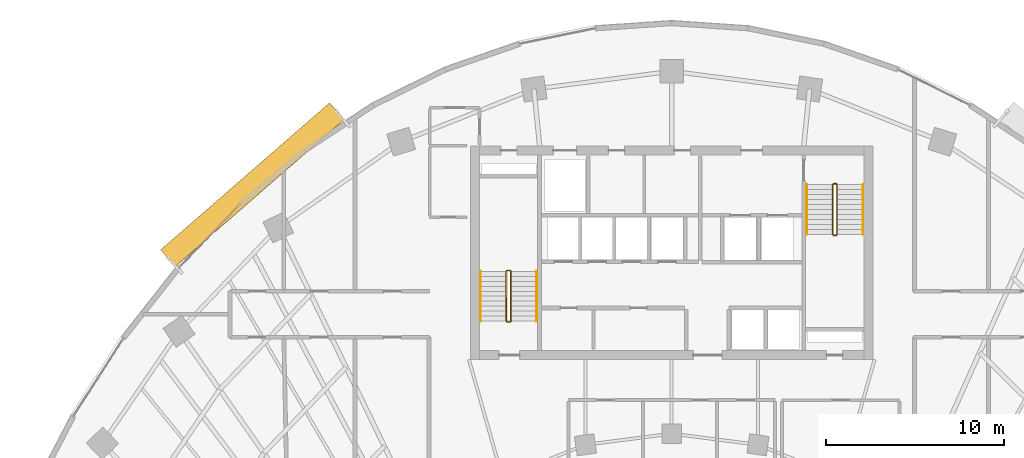
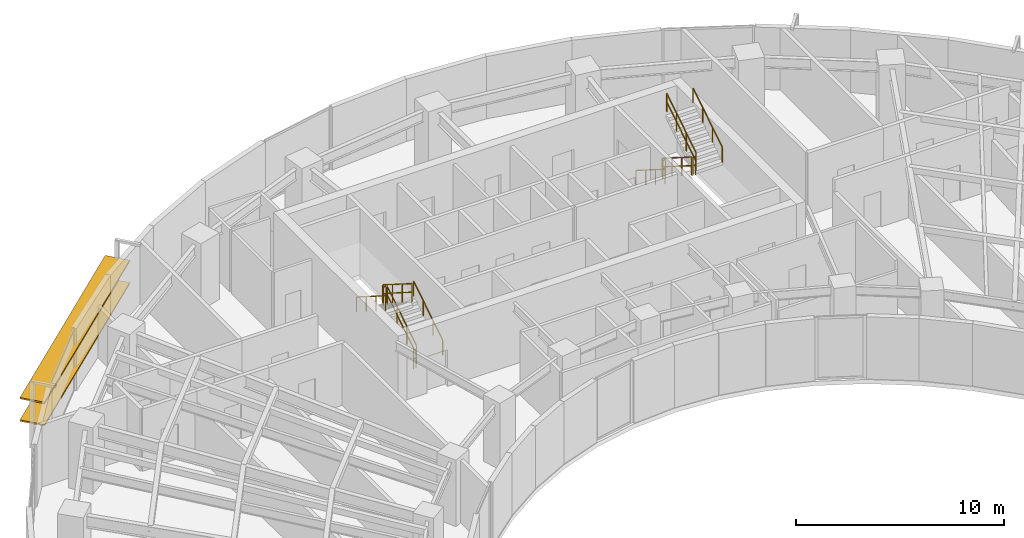
# One storey, part 13 of 14: 12 railings, 2 shading devices.
"""IFC4 building model written with IfcOpenShell, lengths in metres."""

from ifc_helpers import new_model, si_unit, direction, frame, origin, origin_2d, place, context, subcontext, project, spatial, rectangle, extrude, source, transform, mapped, material, material_profile, profile_set, type_object, element, save


model = new_model("IFC4")

# Units and contexts
model_context = context("Model", 3, precision=1e-05, world=origin(), true_north=direction((0.0, 1.0)))
body_context = subcontext(model_context, "Body", "Model", "MODEL_VIEW")
ifc_project = project(units=[si_unit("LENGTHUNIT", "METRE"), si_unit("AREAUNIT", "SQUARE_METRE"), si_unit("VOLUMEUNIT", "CUBIC_METRE"), si_unit("PLANEANGLEUNIT", "RADIAN"), si_unit("MASSUNIT", "GRAM", prefix="KILO")], contexts=[model_context])

# Site, building, storey
site_placement = place(None, origin())
site = spatial("IfcSite", under=ifc_project, at=site_placement, CompositionType="ELEMENT")
building_placement = place(site_placement, origin())
building = spatial("IfcBuilding", under=site, at=building_placement, Name="Breltana Convention Tower", CompositionType="ELEMENT")
storey_placement = place(building_placement, frame((0.0, 0.0, 135.0)))
storey = spatial("IfcBuildingStorey", under=building, at=storey_placement, Name="L32", CompositionType="ELEMENT", Elevation=135.0)

# Railings
ifc_material_1 = material(Name="Steel S275 Painted", Category="steel")
railing_type_1 = type_object("IfcRailingType", Name="RL-STAIR-GUARD-1100", PredefinedType="GUARDRAIL", material=ifc_material_1)
railing_1_placement = place(storey_placement, frame((38.9599609375, 62.360107421875, 0.17724609375)))
element("IfcRailing", 1, at=railing_1_placement, inside=storey, type_object=railing_type_1, Name="L32 ST-1 stair guard 1", PredefinedType="GUARDRAIL", context=body_context, shape_type="SweptSolid", body=[
    extrude(rectangle(XDim=0.048095703125, YDim=0.048095703125, at=origin_2d()), frame((0.0, 0.0, 1.076171875), z_axis=(0.0, 0.844887892834, 0.53494340686), x_axis=(-1.0, 0.0, 0.0)), (0.0, 0.0, 1.0), 3.313720703125),
    extrude(rectangle(XDim=0.048095703125, YDim=0.048095703125, at=origin_2d()), frame((0.0, 0.0, 0.572021484375), z_axis=(0.0, 0.844887892834, 0.53494340686), x_axis=(-1.0, 0.0, 0.0)), (0.0, 0.0, 1.0), 3.313720703125),
    extrude(rectangle(XDim=0.0419921875, YDim=0.0419921875, at=origin_2d()), origin(), (0.0, 0.0, 1.0), 1.052001953125),
    extrude(rectangle(XDim=0.0419921875, YDim=0.0419921875, at=origin_2d()), frame((0.0, 0.933349609375, 0.5908203125)), (0.0, 0.0, 1.0), 1.052001953125),
    extrude(rectangle(XDim=0.0419921875, YDim=0.0419921875, at=origin_2d()), frame((0.0, 1.866455078125, 1.181884765625)), (0.0, 0.0, 1.0), 1.052001953125),
    extrude(rectangle(XDim=0.0419921875, YDim=0.0419921875, at=origin_2d()), frame((0.0, 2.7998046875, 1.772705078125)), (0.0, 0.0, 1.0), 1.052001953125),
])
railing_2_placement = place(storey_placement, frame((38.909912109375, 65.2099609375, 1.949951171875)))
element("IfcRailing", 2, at=railing_2_placement, inside=storey, type_object=railing_type_1, Name="L32 ST-1 stair guard 2", PredefinedType="GUARDRAIL", context=body_context, shape_type="SweptSolid", body=[
    extrude(rectangle(XDim=0.048095703125, YDim=0.048095703125, at=origin_2d()), frame((0.0, 0.0, 1.076171875), z_axis=(-1.0, 0.0, 0.0), x_axis=(0.0, -1.0, 0.0)), (0.0, 0.0, 1.0), 0.14990234375),
    extrude(rectangle(XDim=0.048095703125, YDim=0.048095703125, at=origin_2d()), frame((0.0, 0.0, 0.572021484375), z_axis=(-1.0, 0.0, 0.0), x_axis=(0.0, -1.0, 0.0)), (0.0, 0.0, 1.0), 0.14990234375),
    extrude(rectangle(XDim=0.0419921875, YDim=0.0419921875, at=origin_2d()), origin(), (0.0, 0.0, 1.0), 1.052001953125),
    extrude(rectangle(XDim=0.0419921875, YDim=0.0419921875, at=origin_2d()), frame((-0.14990234375, 0.0, 0.0)), (0.0, 0.0, 1.0), 1.052001953125),
])
railing_3_placement = place(storey_placement, frame((38.7099609375, 65.159912109375, 2.127197265625)))
element("IfcRailing", 3, at=railing_3_placement, inside=storey, type_object=railing_type_1, Name="L32 ST-1 stair guard 3", PredefinedType="GUARDRAIL", context=body_context, shape_type="SweptSolid", body=[
    extrude(rectangle(XDim=0.048095703125, YDim=0.048095703125, at=origin_2d()), frame((0.0, 0.0, 1.076171875), z_axis=(0.0, -0.844887892834, 0.53494340686), x_axis=(1.0, 0.0, 0.0)), (0.0, 0.0, 1.0), 3.313720703125),
    extrude(rectangle(XDim=0.048095703125, YDim=0.048095703125, at=origin_2d()), frame((0.0, 0.0, 0.572021484375), z_axis=(0.0, -0.844887892834, 0.53494340686), x_axis=(1.0, 0.0, 0.0)), (0.0, 0.0, 1.0), 3.313720703125),
    extrude(rectangle(XDim=0.0419921875, YDim=0.0419921875, at=origin_2d()), origin(), (0.0, 0.0, 1.0), 1.052001953125),
    extrude(rectangle(XDim=0.0419921875, YDim=0.0419921875, at=origin_2d()), frame((0.0, -0.933349609375, 0.5908203125)), (0.0, 0.0, 1.0), 1.052001953125),
    extrude(rectangle(XDim=0.0419921875, YDim=0.0419921875, at=origin_2d()), frame((0.0, -1.866455078125, 1.181884765625)), (0.0, 0.0, 1.0), 1.052001953125),
    extrude(rectangle(XDim=0.0419921875, YDim=0.0419921875, at=origin_2d()), frame((0.0, -2.7998046875, 1.772705078125)), (0.0, 0.0, 1.0), 1.052001953125),
])
railing_4_placement = place(storey_placement, frame((38.909912109375, 62.31005859375, 0.0)))
element("IfcRailing", 4, at=railing_4_placement, inside=storey, type_object=railing_type_1, Name="L32 ST-1 stair guard 4", PredefinedType="GUARDRAIL", context=body_context, shape_type="SweptSolid", body=[
    extrude(rectangle(XDim=0.048095703125, YDim=0.048095703125, at=origin_2d()), frame((0.0, 0.0, 1.076171875), z_axis=(-1.0, 0.0, 0.0), x_axis=(0.0, -1.0, 0.0)), (0.0, 0.0, 1.0), 0.14990234375),
    extrude(rectangle(XDim=0.048095703125, YDim=0.048095703125, at=origin_2d()), frame((0.0, 0.0, 0.572021484375), z_axis=(-1.0, 0.0, 0.0), x_axis=(0.0, -1.0, 0.0)), (0.0, 0.0, 1.0), 0.14990234375),
    extrude(rectangle(XDim=0.0419921875, YDim=0.0419921875, at=origin_2d()), origin(), (0.0, 0.0, 1.0), 1.052001953125),
    extrude(rectangle(XDim=0.0419921875, YDim=0.0419921875, at=origin_2d()), frame((-0.14990234375, 0.0, 0.0)), (0.0, 0.0, 1.0), 1.052001953125),
])
railing_5_placement = place(storey_placement, frame((57.0400390625, 70.0400390625, 0.17724609375)))
element("IfcRailing", 5, at=railing_5_placement, inside=storey, type_object=railing_type_1, Name="L32 ST-2 stair guard 1", PredefinedType="GUARDRAIL", context=body_context, shape_type="SweptSolid", body=[
    extrude(rectangle(XDim=0.048095703125, YDim=0.048095703125, at=origin_2d()), frame((0.0, 0.0, 1.076171875), z_axis=(0.0, -0.844908973607, 0.534910110503), x_axis=(1.0, 0.0, 0.0)), (0.0, 0.0, 1.0), 3.31396484375),
    extrude(rectangle(XDim=0.048095703125, YDim=0.048095703125, at=origin_2d()), frame((0.0, 0.0, 0.572021484375), z_axis=(0.0, -0.844908973607, 0.534910110503), x_axis=(1.0, 0.0, 0.0)), (0.0, 0.0, 1.0), 3.31396484375),
    extrude(rectangle(XDim=0.0419921875, YDim=0.0419921875, at=origin_2d()), origin(), (0.0, 0.0, 1.0), 1.052001953125),
    extrude(rectangle(XDim=0.0419921875, YDim=0.0419921875, at=origin_2d()), frame((0.0, -0.933349609375, 0.5908203125)), (0.0, 0.0, 1.0), 1.052001953125),
    extrude(rectangle(XDim=0.0419921875, YDim=0.0419921875, at=origin_2d()), frame((0.0, -1.86669921875, 1.181884765625)), (0.0, 0.0, 1.0), 1.052001953125),
    extrude(rectangle(XDim=0.0419921875, YDim=0.0419921875, at=origin_2d()), frame((0.0, -2.800048828125, 1.772705078125)), (0.0, 0.0, 1.0), 1.052001953125),
])
railing_6_placement = place(storey_placement, frame((57.090087890625, 67.18994140625, 1.949951171875)))
element("IfcRailing", 6, at=railing_6_placement, inside=storey, type_object=railing_type_1, Name="L32 ST-2 stair guard 2", PredefinedType="GUARDRAIL", context=body_context, shape_type="SweptSolid", body=[
    extrude(rectangle(XDim=0.048095703125, YDim=0.048095703125, at=origin_2d()), frame((0.0, 0.0, 1.076171875), z_axis=(1.0, 0.0, 0.0), x_axis=(0.0, 1.0, 0.0)), (0.0, 0.0, 1.0), 0.14990234375),
    extrude(rectangle(XDim=0.048095703125, YDim=0.048095703125, at=origin_2d()), frame((0.0, 0.0, 0.572021484375), z_axis=(1.0, 0.0, 0.0), x_axis=(0.0, 1.0, 0.0)), (0.0, 0.0, 1.0), 0.14990234375),
    extrude(rectangle(XDim=0.0419921875, YDim=0.0419921875, at=origin_2d()), origin(), (0.0, 0.0, 1.0), 1.052001953125),
    extrude(rectangle(XDim=0.0419921875, YDim=0.0419921875, at=origin_2d()), frame((0.14990234375, 0.0, 0.0)), (0.0, 0.0, 1.0), 1.052001953125),
])
railing_7_placement = place(storey_placement, frame((57.2900390625, 67.239990234375, 2.127197265625)))
element("IfcRailing", 7, at=railing_7_placement, inside=storey, type_object=railing_type_1, Name="L32 ST-2 stair guard 3", PredefinedType="GUARDRAIL", context=body_context, shape_type="SweptSolid", body=[
    extrude(rectangle(XDim=0.048095703125, YDim=0.048095703125, at=origin_2d()), frame((0.0, 0.0, 1.076171875), z_axis=(0.0, 0.844908973607, 0.534910110503), x_axis=(-1.0, 0.0, 0.0)), (0.0, 0.0, 1.0), 3.31396484375),
    extrude(rectangle(XDim=0.048095703125, YDim=0.048095703125, at=origin_2d()), frame((0.0, 0.0, 0.572021484375), z_axis=(0.0, 0.844908973607, 0.534910110503), x_axis=(-1.0, 0.0, 0.0)), (0.0, 0.0, 1.0), 3.31396484375),
    extrude(rectangle(XDim=0.0419921875, YDim=0.0419921875, at=origin_2d()), origin(), (0.0, 0.0, 1.0), 1.052001953125),
    extrude(rectangle(XDim=0.0419921875, YDim=0.0419921875, at=origin_2d()), frame((0.0, 0.933349609375, 0.5908203125)), (0.0, 0.0, 1.0), 1.052001953125),
    extrude(rectangle(XDim=0.0419921875, YDim=0.0419921875, at=origin_2d()), frame((0.0, 1.86669921875, 1.181884765625)), (0.0, 0.0, 1.0), 1.052001953125),
    extrude(rectangle(XDim=0.0419921875, YDim=0.0419921875, at=origin_2d()), frame((0.0, 2.800048828125, 1.772705078125)), (0.0, 0.0, 1.0), 1.052001953125),
])
railing_8_placement = place(storey_placement, frame((57.090087890625, 70.090087890625, 0.0)))
element("IfcRailing", 8, at=railing_8_placement, inside=storey, type_object=railing_type_1, Name="L32 ST-2 stair guard 4", PredefinedType="GUARDRAIL", context=body_context, shape_type="SweptSolid", body=[
    extrude(rectangle(XDim=0.048095703125, YDim=0.048095703125, at=origin_2d()), frame((0.0, 0.0, 1.076171875), z_axis=(1.0, 0.0, 0.0), x_axis=(0.0, 1.0, 0.0)), (0.0, 0.0, 1.0), 0.14990234375),
    extrude(rectangle(XDim=0.048095703125, YDim=0.048095703125, at=origin_2d()), frame((0.0, 0.0, 0.572021484375), z_axis=(1.0, 0.0, 0.0), x_axis=(0.0, 1.0, 0.0)), (0.0, 0.0, 1.0), 0.14990234375),
    extrude(rectangle(XDim=0.0419921875, YDim=0.0419921875, at=origin_2d()), origin(), (0.0, 0.0, 1.0), 1.052001953125),
    extrude(rectangle(XDim=0.0419921875, YDim=0.0419921875, at=origin_2d()), frame((0.14990234375, 0.0, 0.0)), (0.0, 0.0, 1.0), 1.052001953125),
])
ifc_material_2 = material(Name="Stainless Steel 316L", Category="steel")
railing_type_2 = type_object("IfcRailingType", Name="RL-STAIR-HANDRAIL-900", PredefinedType="HANDRAIL", material=ifc_material_2)
railing_9_placement = place(storey_placement, frame((40.419921875, 62.360107421875, 0.17724609375)))
element("IfcRailing", 9, at=railing_9_placement, inside=storey, type_object=railing_type_2, Name="L32 ST-1 stair handrail 1", PredefinedType="HANDRAIL", context=body_context, shape_type="SweptSolid", body=[
    extrude(rectangle(XDim=0.048095703125, YDim=0.048095703125, at=origin_2d()), frame((0.0, 0.0, 0.8759765625), z_axis=(0.0, 0.844887892834, 0.53494340686), x_axis=(-1.0, 0.0, 0.0)), (0.0, 0.0, 1.0), 3.313720703125),
    extrude(rectangle(XDim=0.0419921875, YDim=0.0419921875, at=origin_2d()), origin(), (0.0, 0.0, 1.0), 0.851806640625),
    extrude(rectangle(XDim=0.0419921875, YDim=0.0419921875, at=origin_2d()), frame((0.0, 0.933349609375, 0.5908203125)), (0.0, 0.0, 1.0), 0.851806640625),
    extrude(rectangle(XDim=0.0419921875, YDim=0.0419921875, at=origin_2d()), frame((0.0, 1.866455078125, 1.181884765625)), (0.0, 0.0, 1.0), 0.851806640625),
    extrude(rectangle(XDim=0.0419921875, YDim=0.0419921875, at=origin_2d()), frame((0.0, 2.7998046875, 1.772705078125)), (0.0, 0.0, 1.0), 0.851806640625),
])
railing_10_placement = place(storey_placement, frame((37.25, 65.159912109375, 2.127197265625)))
element("IfcRailing", 10, at=railing_10_placement, inside=storey, type_object=railing_type_2, Name="L32 ST-1 stair handrail 2", PredefinedType="HANDRAIL", context=body_context, shape_type="SweptSolid", body=[
    extrude(rectangle(XDim=0.048095703125, YDim=0.048095703125, at=origin_2d()), frame((0.0, 0.0, 0.8759765625), z_axis=(0.0, -0.844887892834, 0.53494340686), x_axis=(1.0, 0.0, 0.0)), (0.0, 0.0, 1.0), 3.313720703125),
    extrude(rectangle(XDim=0.0419921875, YDim=0.0419921875, at=origin_2d()), origin(), (0.0, 0.0, 1.0), 0.851806640625),
    extrude(rectangle(XDim=0.0419921875, YDim=0.0419921875, at=origin_2d()), frame((0.0, -0.933349609375, 0.5908203125)), (0.0, 0.0, 1.0), 0.851806640625),
    extrude(rectangle(XDim=0.0419921875, YDim=0.0419921875, at=origin_2d()), frame((0.0, -1.866455078125, 1.181884765625)), (0.0, 0.0, 1.0), 0.851806640625),
    extrude(rectangle(XDim=0.0419921875, YDim=0.0419921875, at=origin_2d()), frame((0.0, -2.7998046875, 1.772705078125)), (0.0, 0.0, 1.0), 0.851806640625),
])
railing_11_placement = place(storey_placement, frame((55.580078125, 70.0400390625, 0.17724609375)))
element("IfcRailing", 11, at=railing_11_placement, inside=storey, type_object=railing_type_2, Name="L32 ST-2 stair handrail 1", PredefinedType="HANDRAIL", context=body_context, shape_type="SweptSolid", body=[
    extrude(rectangle(XDim=0.048095703125, YDim=0.048095703125, at=origin_2d()), frame((0.0, 0.0, 0.8759765625), z_axis=(0.0, -0.844908973607, 0.534910110503), x_axis=(1.0, 0.0, 0.0)), (0.0, 0.0, 1.0), 3.31396484375),
    extrude(rectangle(XDim=0.0419921875, YDim=0.0419921875, at=origin_2d()), origin(), (0.0, 0.0, 1.0), 0.851806640625),
    extrude(rectangle(XDim=0.0419921875, YDim=0.0419921875, at=origin_2d()), frame((0.0, -0.933349609375, 0.5908203125)), (0.0, 0.0, 1.0), 0.851806640625),
    extrude(rectangle(XDim=0.0419921875, YDim=0.0419921875, at=origin_2d()), frame((0.0, -1.86669921875, 1.181884765625)), (0.0, 0.0, 1.0), 0.851806640625),
    extrude(rectangle(XDim=0.0419921875, YDim=0.0419921875, at=origin_2d()), frame((0.0, -2.800048828125, 1.772705078125)), (0.0, 0.0, 1.0), 0.851806640625),
])
railing_12_placement = place(storey_placement, frame((58.75, 67.239990234375, 2.127197265625)))
element("IfcRailing", 12, at=railing_12_placement, inside=storey, type_object=railing_type_2, Name="L32 ST-2 stair handrail 2", PredefinedType="HANDRAIL", context=body_context, shape_type="SweptSolid", body=[
    extrude(rectangle(XDim=0.048095703125, YDim=0.048095703125, at=origin_2d()), frame((0.0, 0.0, 0.8759765625), z_axis=(0.0, 0.844908973607, 0.534910110503), x_axis=(-1.0, 0.0, 0.0)), (0.0, 0.0, 1.0), 3.31396484375),
    extrude(rectangle(XDim=0.0419921875, YDim=0.0419921875, at=origin_2d()), origin(), (0.0, 0.0, 1.0), 0.851806640625),
    extrude(rectangle(XDim=0.0419921875, YDim=0.0419921875, at=origin_2d()), frame((0.0, 0.933349609375, 0.5908203125)), (0.0, 0.0, 1.0), 0.851806640625),
    extrude(rectangle(XDim=0.0419921875, YDim=0.0419921875, at=origin_2d()), frame((0.0, 1.86669921875, 1.181884765625)), (0.0, 0.0, 1.0), 0.851806640625),
    extrude(rectangle(XDim=0.0419921875, YDim=0.0419921875, at=origin_2d()), frame((0.0, 2.800048828125, 1.772705078125)), (0.0, 0.0, 1.0), 0.851806640625),
])

# Shading devices
ifc_material_3 = material(Name="Limestone Warm Buff Honed", Category="masonry")
ifc_material_profile = material_profile(ifc_material_3, rectangle(XDim=1.25, YDim=0.090087890625, at=origin_2d()), Name="STN-LVR-1250X90")
ifc_profile_set = profile_set([ifc_material_profile], Name="Limestone Warm Buff Honed")
shading_device_type = type_object("IfcShadingDeviceType", Name="SHD-OUTER-SKIN-LIMESTONE-1250", PredefinedType="JALOUSIE", material=ifc_profile_set)
shared_shape = source(origin(), body_context, "Body", "SweptSolid", [
    extrude(rectangle(XDim=1.25, YDim=0.090087890625, at=origin_2d()), origin(), (0.0, 0.0, 1.0), 12.59423828125),
])
for number, where, z_axis, x_axis, name in (
    (13, (19.6826171875, 65.894775390625, 1.31396484375), (0.754366759368, 0.656453191295, 0.0), (-0.656453191295, 0.754366759368, 0.0), "L32 outer skin warm limestone louvre 1.1"),
    (14, (19.6826171875, 65.894775390625, 2.6279296875), (0.754366759368, 0.656453191295, 0.0), (-0.656453191295, 0.754366759368, 0.0), "L32 outer skin warm limestone louvre 1.2"),
):
    element("IfcShadingDevice", number, at=place(storey_placement, frame(where, z_axis=z_axis, x_axis=x_axis)), inside=storey, type_object=shading_device_type, Name=name, PredefinedType="JALOUSIE", context=body_context, shape_type="MappedRepresentation", body=[
        mapped(shared_shape, transform((0.0, 0.0, 0.0), scale=1.0)),
    ])

save(model, "model.ifc")
